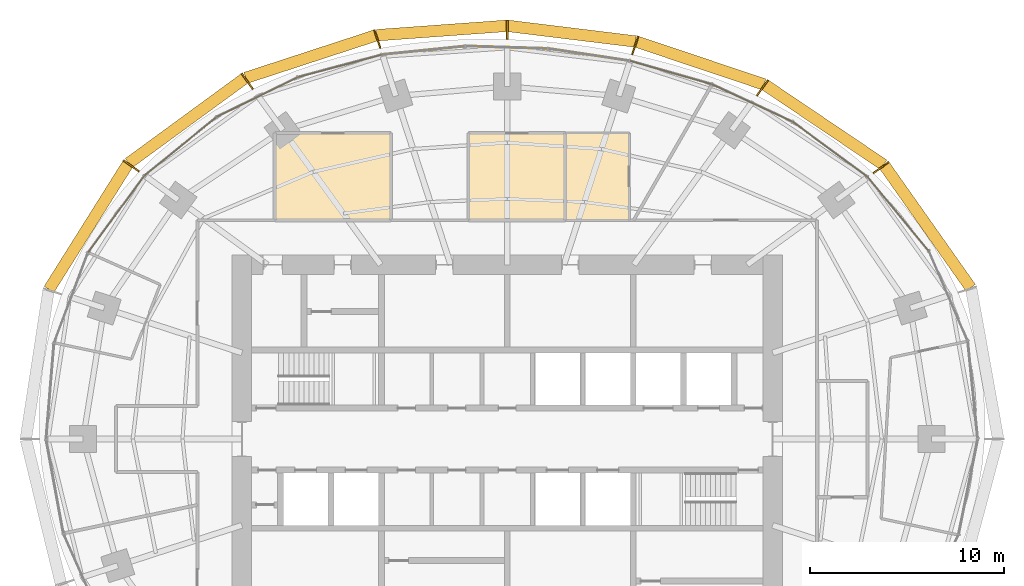
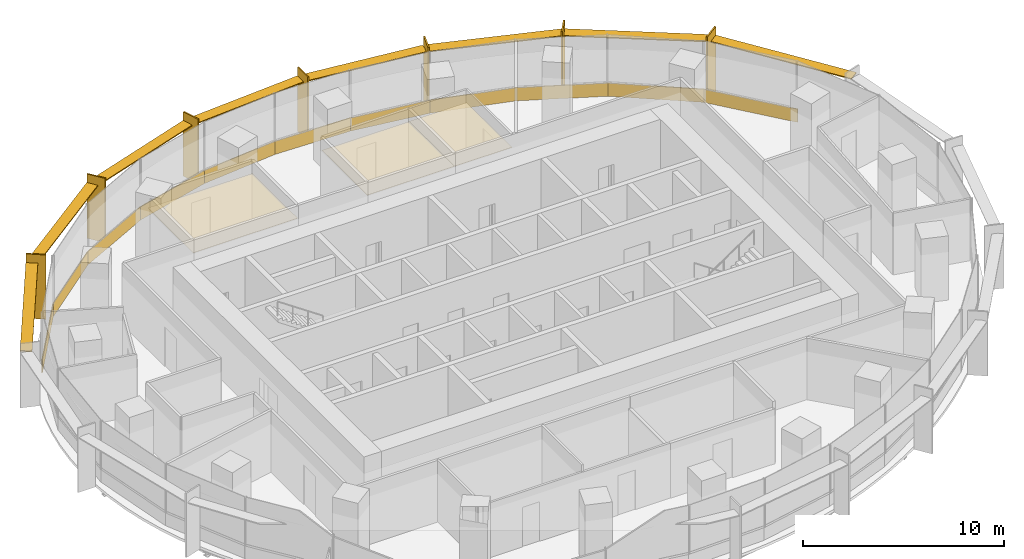
# One storey, part 14 of 14: 15 shading devices, 14 coverings.
"""IFC4 building model written with IfcOpenShell, lengths in metres."""

from ifc_helpers import new_model, si_unit, direction, frame, origin, origin_2d, place, context, subcontext, project, spatial, polyline, rectangle, outline, extrude, material, layer, layer_set, type_object, element, save


model = new_model("IFC4")

# Units and contexts
model_context = context("Model", 3, precision=1e-05, world=origin(), true_north=direction((0.0, 1.0)))
body_context = subcontext(model_context, "Body", "Model", "MODEL_VIEW")
ifc_project = project(units=[si_unit("LENGTHUNIT", "METRE"), si_unit("AREAUNIT", "SQUARE_METRE"), si_unit("VOLUMEUNIT", "CUBIC_METRE"), si_unit("PLANEANGLEUNIT", "RADIAN"), si_unit("MASSUNIT", "GRAM", prefix="KILO")], contexts=[model_context])

# Site, building, storey
site_placement = place(None, origin())
site = spatial("IfcSite", under=ifc_project, at=site_placement, CompositionType="ELEMENT")
building_placement = place(site_placement, origin())
building = spatial("IfcBuilding", under=site, at=building_placement, Name="Marramba Exchange Tower", CompositionType="ELEMENT")
storey_placement = place(building_placement, frame((0.0, 0.0, 195.5)))
storey = spatial("IfcBuildingStorey", under=building, at=storey_placement, Name="L47", CompositionType="ELEMENT", Elevation=195.5)

# Shading devices
ifc_material_1 = material(Name="Aluminium blade, timber-look bronze finish", Category="wood")
ifc_layer_1 = layer(ifc_material_1, 0.080078125)
ifc_layer_set_1 = layer_set([ifc_layer_1], Name="Floor-edge blade 1000x80")
shading_device_type_1 = type_object("IfcShadingDeviceType", Name="Floor-edge blade 1000x80", PredefinedType="USERDEFINED", material=ifc_layer_set_1)
for number, where, z_axis, x_axis, name in (
    (1, (19.298828125, 14.021484375, -0.159912109375), (0.0, 0.0, 1.0), (0.809016994375, 0.587785252292, 0.0), "Floor-edge blade FB1 L47 TC03"),
    (2, (13.176513671875, 18.135986328125, -0.159912109375), (0.0, 0.0, 1.0), (0.587785252292, 0.809016994375, 0.0), "Floor-edge blade FB1 L47 TC04"),
    (3, (6.605712890625, 20.330078125, -0.159912109375), (0.0, 0.0, 1.0), (0.309016994375, 0.951056516295, 0.0), "Floor-edge blade FB1 L47 TC05"),
    (4, (0.0, 21.13623046875, -0.159912109375), (0.0, 0.0, 1.0), (0.0, 1.0, 0.0), "Floor-edge blade FB1 L47 TC06"),
    (5, (-6.7119140625, 20.657470703125, -0.159912109375), (0.0, 0.0, 1.0), (-0.309016994375, 0.951056516295, 0.0), "Floor-edge blade FB1 L47 TC07"),
    (6, (-13.422607421875, 18.474609375, -0.159912109375), (0.0, 0.0, 1.0), (-0.587785252292, 0.809016994375, 0.0), "Floor-edge blade FB1 L47 TC08"),
    (7, (-19.4140625, 14.105224609375, -0.159912109375), (0.0, 0.0, 1.0), (-0.809016994375, 0.587785252292, 0.0), "Floor-edge blade FB1 L47 TC09"),
):
    element("IfcShadingDevice", number, at=place(storey_placement, frame(where, z_axis=z_axis, x_axis=x_axis)), inside=storey, type_object=shading_device_type_1, Name=name, ObjectType="FIN", PredefinedType="USERDEFINED", context=body_context, shape_type="SweptSolid", body=[
        extrude(rectangle(XDim=1.0, YDim=0.080078125, at=origin_2d()), origin(), (0.0, 0.0, 1.0), 3.89990234375),
    ])
ifc_material_2 = material(Name="Aluminium sunshade, bronze anodised", Category="aluminium")
ifc_layer_2 = layer(ifc_material_2, 0.06005859375)
ifc_layer_set_2 = layer_set([ifc_layer_2], Name="SUNSHADE blade 600x60")
shading_device_type_2 = type_object("IfcShadingDeviceType", Name="SUNSHADE blade 600x60", PredefinedType="USERDEFINED", material=ifc_layer_set_2)
shading_device_1_placement = place(storey_placement, frame((21.703857421875, 10.9599609375, 3.159912109375), z_axis=(0.0, 0.0, 1.0), x_axis=(-0.576555118613, 0.81705825692, 0.0)))
element("IfcShadingDevice", 8, at=shading_device_1_placement, inside=storey, type_object=shading_device_type_2, Name="Sunshade SS1 L47 bay 02", ObjectType="SUNSHADE", PredefinedType="USERDEFINED", context=body_context, shape_type="SweptSolid", body=[
    extrude(rectangle(XDim=7.70166015625, YDim=0.60009765625, at=origin_2d()), origin(), (0.0, 0.0, 1.0), 0.06005859375),
])
shading_device_2_placement = place(storey_placement, frame((16.37744140625, 16.218505859375, 3.159912109375), z_axis=(0.0, 0.0, 1.0), x_axis=(-0.829071447151, 0.559142679035, 0.0)))
element("IfcShadingDevice", 9, at=shading_device_2_placement, inside=storey, type_object=shading_device_type_2, Name="Sunshade SS1 L47 bay 03", ObjectType="SUNSHADE", PredefinedType="USERDEFINED", context=body_context, shape_type="SweptSolid", body=[
    extrude(rectangle(XDim=7.35791015625, YDim=0.60009765625, at=origin_2d()), origin(), (0.0, 0.0, 1.0), 0.06005859375),
])
shading_device_3_placement = place(storey_placement, frame((9.980712890625, 19.4091796875, 3.159912109375), z_axis=(0.0, 0.0, 1.0), x_axis=(-0.948096437223, 0.317982933073, 0.0)))
element("IfcShadingDevice", 10, at=shading_device_3_placement, inside=storey, type_object=shading_device_type_2, Name="Sunshade SS1 L47 bay 04", ObjectType="SUNSHADE", PredefinedType="USERDEFINED", context=body_context, shape_type="SweptSolid", body=[
    extrude(rectangle(XDim=6.909423828125, YDim=0.60009765625, at=origin_2d()), origin(), (0.0, 0.0, 1.0), 0.06005859375),
])
shading_device_4_placement = place(storey_placement, frame((3.333740234375, 20.92822265625, 3.159912109375), z_axis=(0.0, 0.0, 1.0), x_axis=(-0.992595256045, 0.121468751853, 0.0)))
element("IfcShadingDevice", 11, at=shading_device_4_placement, inside=storey, type_object=shading_device_type_2, Name="Sunshade SS1 L47 bay 05", ObjectType="SUNSHADE", PredefinedType="USERDEFINED", context=body_context, shape_type="SweptSolid", body=[
    extrude(rectangle(XDim=6.63720703125, YDim=0.60009765625, at=origin_2d()), origin(), (0.0, 0.0, 1.0), 0.06005859375),
])
shading_device_5_placement = place(storey_placement, frame((-3.386962890625, 21.092041015625, 3.159912109375), z_axis=(0.0, 0.0, 1.0), x_axis=(-0.997407641713, -0.071958295234, 0.0)))
element("IfcShadingDevice", 12, at=shading_device_5_placement, inside=storey, type_object=shading_device_type_2, Name="Sunshade SS1 L47 bay 06", ObjectType="SUNSHADE", PredefinedType="USERDEFINED", context=body_context, shape_type="SweptSolid", body=[
    extrude(rectangle(XDim=6.71142578125, YDim=0.60009765625, at=origin_2d()), origin(), (0.0, 0.0, 1.0), 0.06005859375),
])
shading_device_6_placement = place(storey_placement, frame((-10.156982421875, 19.741943359375, 3.159912109375), z_axis=(0.0, 0.0, 1.0), x_axis=(-0.950537602937, -0.310609506297, 0.0)))
element("IfcShadingDevice", 13, at=shading_device_6_placement, inside=storey, type_object=shading_device_type_2, Name="Sunshade SS1 L47 bay 07", ObjectType="SUNSHADE", PredefinedType="USERDEFINED", context=body_context, shape_type="SweptSolid", body=[
    extrude(rectangle(XDim=7.03857421875, YDim=0.60009765625, at=origin_2d()), origin(), (0.0, 0.0, 1.0), 0.06005859375),
])
shading_device_7_placement = place(storey_placement, frame((-16.55810546875, 16.4296875, 3.159912109375), z_axis=(0.0, 0.0, 1.0), x_axis=(-0.80719390073, -0.59028637679, 0.0)))
element("IfcShadingDevice", 14, at=shading_device_7_placement, inside=storey, type_object=shading_device_type_2, Name="Sunshade SS1 L47 bay 08", ObjectType="SUNSHADE", PredefinedType="USERDEFINED", context=body_context, shape_type="SweptSolid", body=[
    extrude(rectangle(XDim=7.3974609375, YDim=0.60009765625, at=origin_2d()), origin(), (0.0, 0.0, 1.0), 0.06005859375),
])
shading_device_8_placement = place(storey_placement, frame((-21.62744140625, 10.958251953125, 3.159912109375), z_axis=(0.0, 0.0, 1.0), x_axis=(-0.532082259983, -0.846692664792, 0.0)))
element("IfcShadingDevice", 15, at=shading_device_8_placement, inside=storey, type_object=shading_device_type_2, Name="Sunshade SS1 L47 bay 09", ObjectType="SUNSHADE", PredefinedType="USERDEFINED", context=body_context, shape_type="SweptSolid", body=[
    extrude(rectangle(XDim=7.631103515625, YDim=0.60009765625, at=origin_2d()), origin(), (0.0, 0.0, 1.0), 0.06005859375),
])

# Coverings
ifc_material_3 = material(Name="Aluminium spandrel panel, bronze anodised, insulated", Category="aluminium")
ifc_layer_3 = layer(ifc_material_3, 0.050048828125)
ifc_layer_set_3 = layer_set([ifc_layer_3], Name="Spandrel panel 800")
covering_type_1 = type_object("IfcCoveringType", Name="Spandrel panel 800", PredefinedType="CLADDING", material=ifc_layer_set_3)
covering_1_placement = place(storey_placement, frame((20.193603515625, 11.608642578125, 0.0), z_axis=(0.0, 0.0, 1.0), x_axis=(-0.637350224586, 0.770574260678, 0.0)))
element("IfcCovering", 16, at=covering_1_placement, inside=storey, type_object=covering_type_1, Name="Spandrel panel SP1 L47 F03", PredefinedType="CLADDING", context=body_context, shape_type="SweptSolid", body=[
    extrude(rectangle(XDim=4.9658203125, YDim=0.050048828125, at=origin_2d()), origin(), (0.0, 0.0, 1.0), 0.800048828125),
])
covering_2_placement = place(storey_placement, frame((16.677001953125, 14.94775390625, 0.0), z_axis=(0.0, 0.0, 1.0), x_axis=(-0.804877256733, 0.593441321104, 0.0)))
element("IfcCovering", 17, at=covering_2_placement, inside=storey, type_object=covering_type_1, Name="Spandrel panel SP1 L47 F04", PredefinedType="CLADDING", context=body_context, shape_type="SweptSolid", body=[
    extrude(rectangle(XDim=4.805908203125, YDim=0.050048828125, at=origin_2d()), origin(), (0.0, 0.0, 1.0), 0.800048828125),
])
covering_3_placement = place(storey_placement, frame((12.65869140625, 17.344482421875, 0.0), z_axis=(0.0, 0.0, 1.0), x_axis=(-0.906533903661, 0.422133014005, 0.0)))
element("IfcCovering", 18, at=covering_3_placement, inside=storey, type_object=covering_type_1, Name="Spandrel panel SP1 L47 F05", PredefinedType="CLADDING", context=body_context, shape_type="SweptSolid", body=[
    extrude(rectangle(XDim=4.5986328125, YDim=0.050048828125, at=origin_2d()), origin(), (0.0, 0.0, 1.0), 0.800048828125),
])
covering_4_placement = place(storey_placement, frame((8.45849609375, 18.91845703125, 0.0), z_axis=(0.0, 0.0, 1.0), x_axis=(-0.961658952783, 0.274248169607, 0.0)))
element("IfcCovering", 19, at=covering_4_placement, inside=storey, type_object=covering_type_1, Name="Spandrel panel SP1 L47 F06", PredefinedType="CLADDING", context=body_context, shape_type="SweptSolid", body=[
    extrude(rectangle(XDim=4.39990234375, YDim=0.050048828125, at=origin_2d()), origin(), (0.0, 0.0, 1.0), 0.800048828125),
])
covering_5_placement = place(storey_placement, frame((4.230712890625, 19.839599609375, 0.0), z_axis=(0.0, 0.0, 1.0), x_axis=(-0.988868065308, 0.148794991224, 0.0)))
element("IfcCovering", 20, at=covering_5_placement, inside=storey, type_object=covering_type_1, Name="Spandrel panel SP1 L47 F07", PredefinedType="CLADDING", context=body_context, shape_type="SweptSolid", body=[
    extrude(rectangle(XDim=4.27197265625, YDim=0.050048828125, at=origin_2d()), origin(), (0.0, 0.0, 1.0), 0.800048828125),
])
covering_6_placement = place(storey_placement, frame((-0.0068359375, 20.221923828125, 0.0), z_axis=(0.0, 0.0, 1.0), x_axis=(-0.999537999985, 0.030393857689, 0.0)))
element("IfcCovering", 21, at=covering_6_placement, inside=storey, type_object=covering_type_1, Name="Spandrel panel SP1 L47 F08", PredefinedType="CLADDING", context=body_context, shape_type="SweptSolid", body=[
    extrude(rectangle(XDim=4.252685546875, YDim=0.050048828125, at=origin_2d()), origin(), (0.0, 0.0, 1.0), 0.800048828125),
])
covering_7_placement = place(storey_placement, frame((-4.290771484375, 20.06787109375, 0.0), z_axis=(0.0, 0.0, 1.0), x_axis=(-0.994900357732, -0.10086266993, 0.0)))
element("IfcCovering", 22, at=covering_7_placement, inside=storey, type_object=covering_type_1, Name="Spandrel panel SP1 L47 F09", PredefinedType="CLADDING", context=body_context, shape_type="SweptSolid", body=[
    extrude(rectangle(XDim=4.33935546875, YDim=0.050048828125, at=origin_2d()), origin(), (0.0, 0.0, 1.0), 0.800048828125),
])
covering_8_placement = place(storey_placement, frame((-8.620361328125, 19.27001953125, 0.0), z_axis=(0.0, 0.0, 1.0), x_axis=(-0.966240651433, -0.257641230237, 0.0)))
element("IfcCovering", 23, at=covering_8_placement, inside=storey, type_object=covering_type_1, Name="Spandrel panel SP1 L47 F10", PredefinedType="CLADDING", context=body_context, shape_type="SweptSolid", body=[
    extrude(rectangle(XDim=4.49365234375, YDim=0.050048828125, at=origin_2d()), origin(), (0.0, 0.0, 1.0), 0.800048828125),
])
covering_9_placement = place(storey_placement, frame((-12.88818359375, 17.666748046875, 0.0), z_axis=(0.0, 0.0, 1.0), x_axis=(-0.898500520314, -0.438972453572, 0.0)))
element("IfcCovering", 24, at=covering_9_placement, inside=storey, type_object=covering_type_1, Name="Spandrel panel SP1 L47 F11", PredefinedType="CLADDING", context=body_context, shape_type="SweptSolid", body=[
    extrude(rectangle(XDim=4.667236328125, YDim=0.050048828125, at=origin_2d()), origin(), (0.0, 0.0, 1.0), 0.800048828125),
])
covering_10_placement = place(storey_placement, frame((-16.855712890625, 15.1240234375, 0.0), z_axis=(0.0, 0.0, 1.0), x_axis=(-0.776432169123, -0.630200830491, 0.0)))
element("IfcCovering", 25, at=covering_10_placement, inside=storey, type_object=covering_type_1, Name="Spandrel panel SP1 L47 F12", PredefinedType="CLADDING", context=body_context, shape_type="SweptSolid", body=[
    extrude(rectangle(XDim=4.81884765625, YDim=0.050048828125, at=origin_2d()), origin(), (0.0, 0.0, 1.0), 0.800048828125),
])
covering_11_placement = place(storey_placement, frame((-20.184326171875, 11.62060546875, 0.0), z_axis=(0.0, 0.0, 1.0), x_axis=(-0.591962919465, -0.805965198987, 0.0)))
element("IfcCovering", 26, at=covering_11_placement, inside=storey, type_object=covering_type_1, Name="Spandrel panel SP1 L47 F13", PredefinedType="CLADDING", context=body_context, shape_type="SweptSolid", body=[
    extrude(rectangle(XDim=4.925537109375, YDim=0.050048828125, at=origin_2d()), origin(), (0.0, 0.0, 1.0), 0.800048828125),
])
ifc_material_4 = material(Name="Mineral fibre ceiling tiles", Category="gypsum")
ifc_layer_4 = layer(ifc_material_4, 0.02001953125)
ifc_layer_set_4 = layer_set([ifc_layer_4], Name="Suspended ceiling 20")
covering_type_2 = type_object("IfcCoveringType", Name="Suspended ceiling 20", PredefinedType="CEILING", material=ifc_layer_set_4)
covering_12_placement = place(storey_placement, frame((0.0, 0.0, 2.89990234375)))
element("IfcCovering", 27, at=covering_12_placement, inside=storey, type_object=covering_type_2, Name="Ceiling CL1 L47 Meeting Room 2", PredefinedType="CEILING", context=body_context, shape_type="SweptSolid", body=[
    extrude(outline(polyline([(3.0, 11.300048828125), (-2.0, 11.300048828125), (-2.0, 15.800048828125), (3.0, 15.800048828125), (3.0, 11.300048828125)])), origin(), (0.0, 0.0, 1.0), 0.02001953125),
])
covering_13_placement = place(storey_placement, frame((0.0, 0.0, 2.89990234375)))
element("IfcCovering", 28, at=covering_13_placement, inside=storey, type_object=covering_type_2, Name="Ceiling CL1 L47 Pantry 1", PredefinedType="CEILING", context=body_context, shape_type="SweptSolid", body=[
    extrude(outline(polyline([(6.300048828125, 11.300048828125), (3.0, 11.300048828125), (3.0, 15.800048828125), (6.300048828125, 15.800048828125), (6.300048828125, 11.300048828125)])), origin(), (0.0, 0.0, 1.0), 0.02001953125),
])
covering_14_placement = place(storey_placement, frame((0.0, 0.0, 2.89990234375)))
element("IfcCovering", 29, at=covering_14_placement, inside=storey, type_object=covering_type_2, Name="Ceiling CL1 L47 Meeting Room 3", PredefinedType="CEILING", context=body_context, shape_type="SweptSolid", body=[
    extrude(outline(polyline([(-6.0, 11.300048828125), (-12.0, 11.300048828125), (-12.0, 15.800048828125), (-6.0, 15.800048828125), (-6.0, 11.300048828125)])), origin(), (0.0, 0.0, 1.0), 0.02001953125),
])

save(model, "model.ifc")
